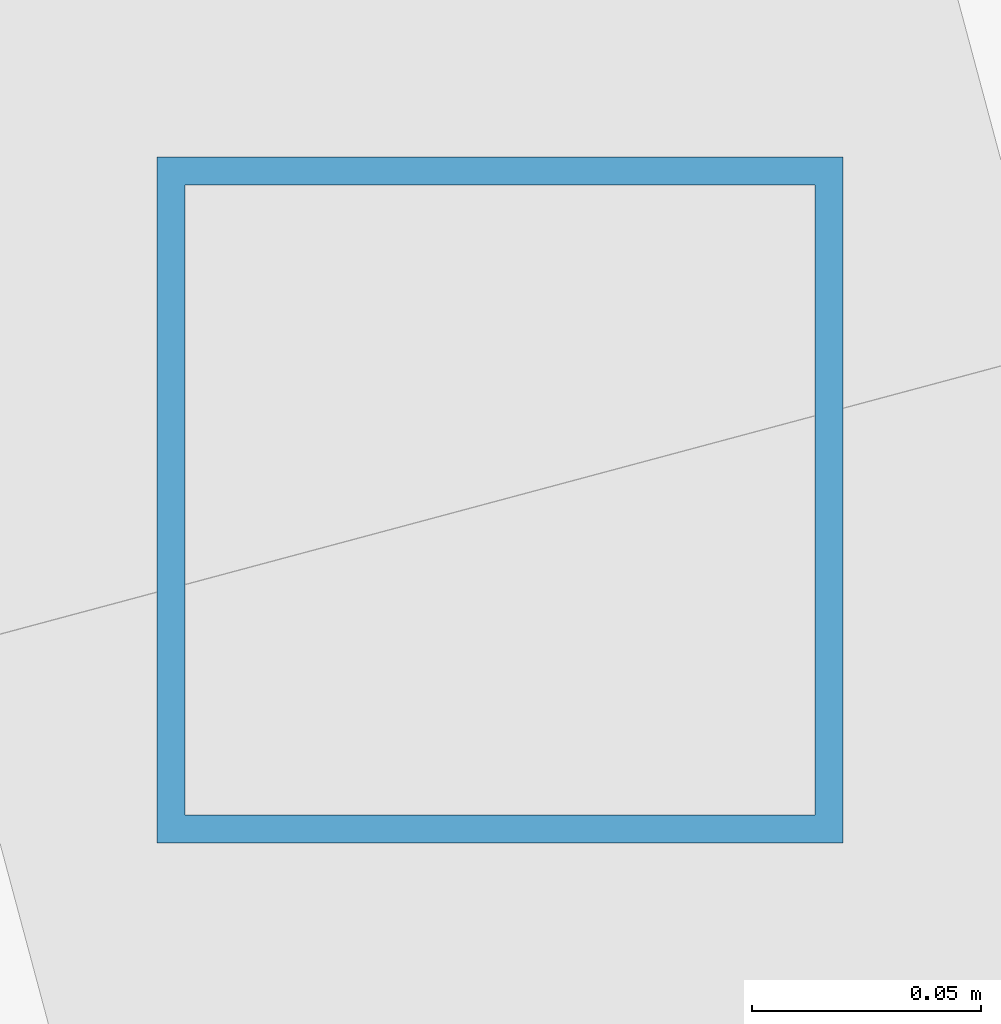
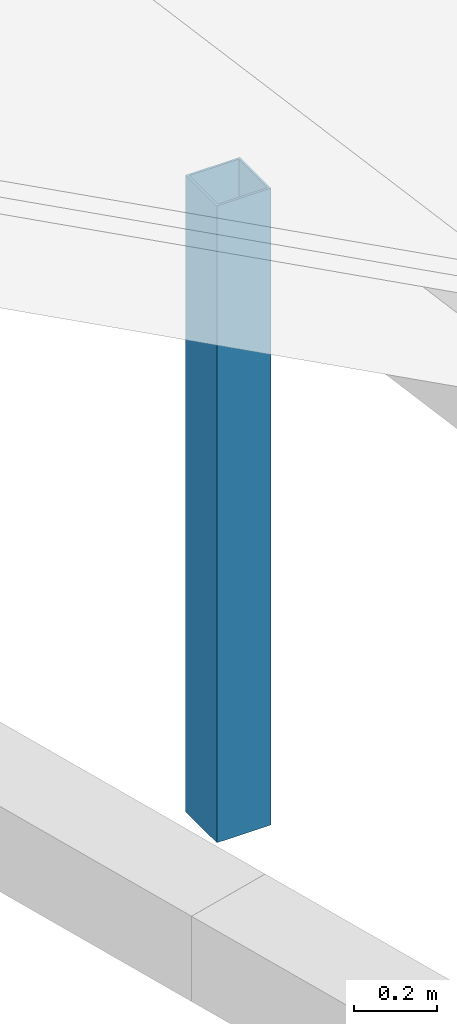
# One storey, part 17 of 70: 1 member.
"""IFC4 building model written with IfcOpenShell, lengths in metres."""

from ifc_helpers import new_model, si_unit, direction, frame, origin, origin_2d, place, context, subcontext, project, spatial, hollow_rectangle, extrude, material, material_profile, profile_set, type_object, element, save


model = new_model("IFC4")

# Units and contexts
model_context = context("Model", 3, precision=1e-05, world=origin(), true_north=direction((0.0, 1.0)))
body_context = subcontext(model_context, "Body", "Model", "MODEL_VIEW")
ifc_project = project(units=[si_unit("LENGTHUNIT", "METRE"), si_unit("AREAUNIT", "SQUARE_METRE"), si_unit("VOLUMEUNIT", "CUBIC_METRE"), si_unit("PLANEANGLEUNIT", "RADIAN"), si_unit("MASSUNIT", "GRAM", prefix="KILO")], contexts=[model_context])

# Site, building, storey
site_placement = place(None, origin())
site = spatial("IfcSite", under=ifc_project, at=site_placement, CompositionType="ELEMENT")
building_placement = place(site_placement, origin())
building = spatial("IfcBuilding", under=site, at=building_placement, Name="Vondelvale Polytechnic", CompositionType="ELEMENT")
storey_placement = place(building_placement, frame((0.0, 0.0, 22.199951171875)))
storey = spatial("IfcBuildingStorey", under=building, at=storey_placement, Name="L05", CompositionType="ELEMENT", Elevation=22.199951171875)

# Member
ifc_material = material(Name="Steel C350L0 (fy = 350 MPa)", Category="steel")
ifc_material_profile = material_profile(ifc_material, hollow_rectangle(XDim=0.14990234375, YDim=0.14990234375, WallThickness=0.006103515625, at=origin_2d()), Name="150x150x6.0SHS")
ifc_profile_set = profile_set([ifc_material_profile], Name="Steel C350L0 (fy = 350 MPa)")
member_type = type_object("IfcMemberType", Name="ROOF TRUSS POST 150SHS", PredefinedType="POST", material=ifc_profile_set)
member_placement = place(storey_placement, frame((92.423583984375, 107.7392578125, 0.0), z_axis=(0.0, 0.0, 1.0), x_axis=(1.0, 0.0, 0.0)))
element("IfcMember", 1, at=member_placement, inside=storey, type_object=member_type, Name="Ring mid roof post 07", PredefinedType="POST", context=body_context, shape_type="SweptSolid", body=[
    extrude(hollow_rectangle(XDim=0.14990234375, YDim=0.14990234375, WallThickness=0.006103515625, at=origin_2d()), origin(), (0.0, 0.0, 1.0), 1.86572265625),
])

save(model, "model.ifc")
